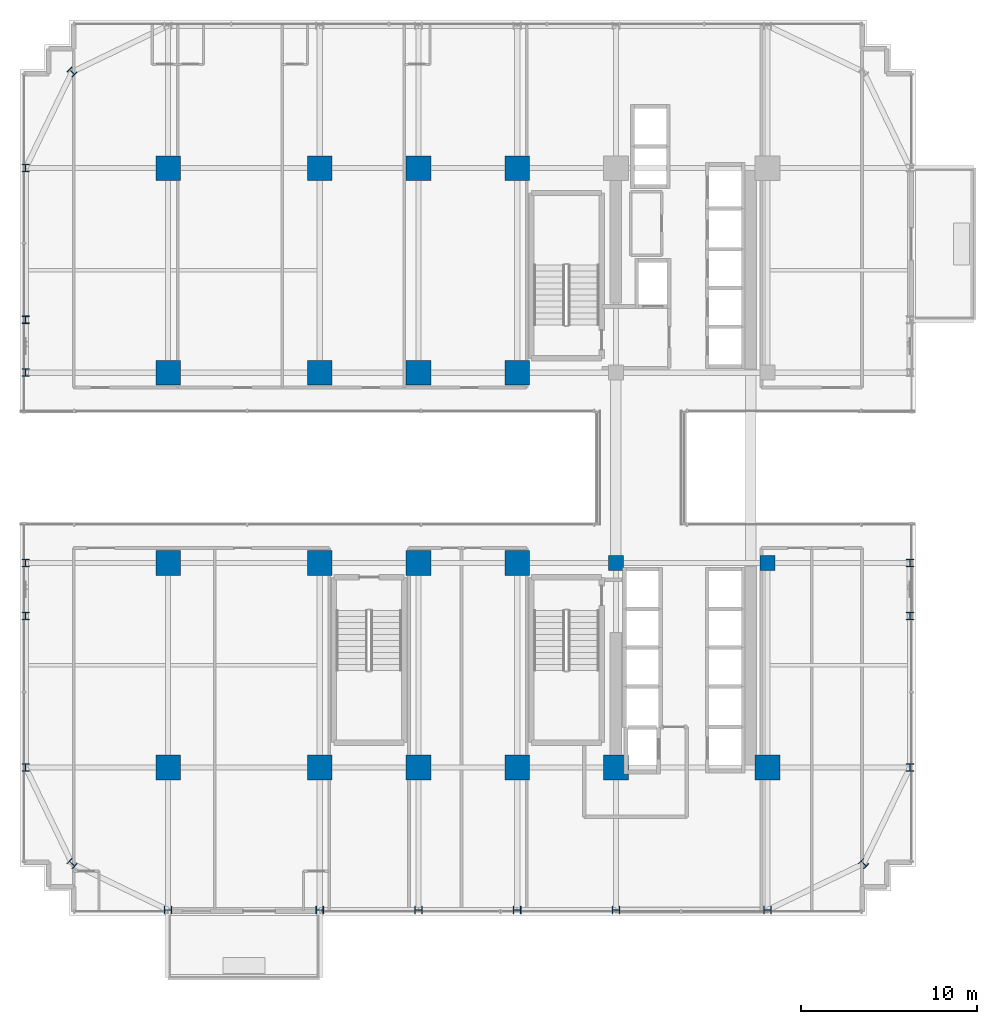
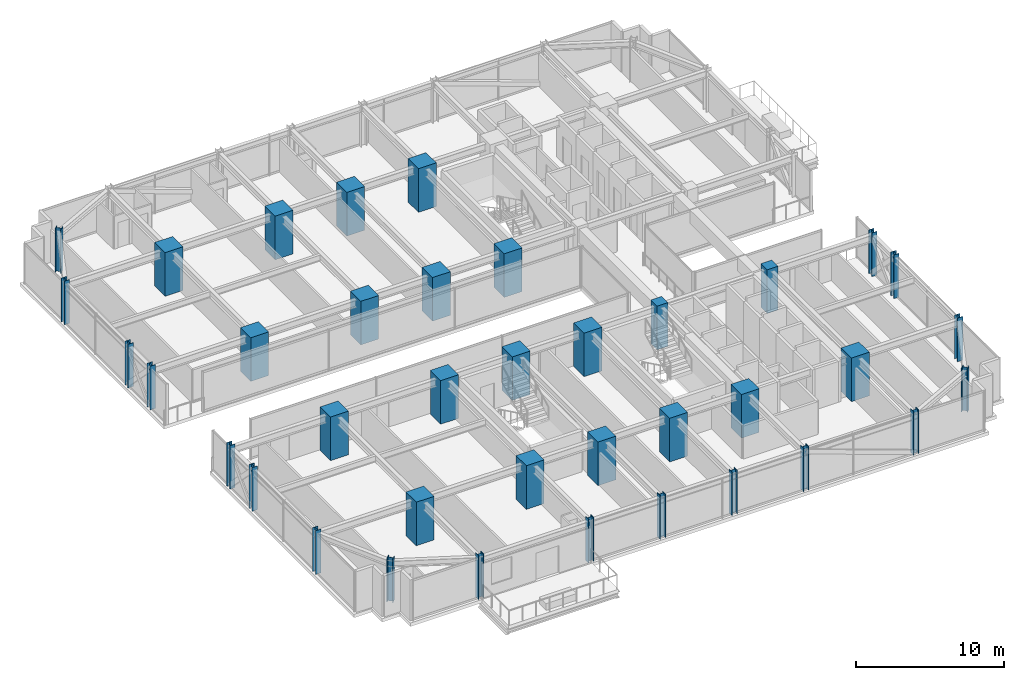
# One storey, part 1 of 43: 38 columns.
"""IFC4 building model written with IfcOpenShell, lengths in metres."""

from ifc_helpers import new_model, si_unit, direction, frame, origin, origin_2d, place, context, subcontext, project, spatial, rectangle, i_section, extrude, source, transform, mapped, material, material_profile, profile_set, type_object, element, save


model = new_model("IFC4")

# Units and contexts
model_context = context("Model", 3, precision=1e-05, world=origin(), true_north=direction((0.0, 1.0)))
body_context = subcontext(model_context, "Body", "Model", "MODEL_VIEW")
ifc_project = project(units=[si_unit("LENGTHUNIT", "METRE"), si_unit("AREAUNIT", "SQUARE_METRE"), si_unit("VOLUMEUNIT", "CUBIC_METRE"), si_unit("PLANEANGLEUNIT", "RADIAN"), si_unit("MASSUNIT", "GRAM", prefix="KILO")], contexts=[model_context])

# Site, building, storey
site_placement = place(None, origin())
site = spatial("IfcSite", under=ifc_project, at=site_placement, CompositionType="ELEMENT")
building_placement = place(site_placement, origin())
building = spatial("IfcBuilding", under=site, at=building_placement, Name="Nahalor Promenade Grand Hotel", CompositionType="ELEMENT")
storey_placement = place(building_placement, frame((0.0, 0.0, 57.949951171875)))
storey = spatial("IfcBuildingStorey", under=building, at=storey_placement, Name="L13", CompositionType="ELEMENT", Elevation=57.949951171875)

# Columns
ifc_material_1 = material(Name="Concrete B-70 (C60/75)", Category="concrete")
ifc_material_profile_1 = material_profile(ifc_material_1, rectangle(XDim=1.4, YDim=1.4, at=origin_2d()), Name="RC 1400x1400")
ifc_profile_set_1 = profile_set([ifc_material_profile_1], Name="Concrete B-70 (C60/75)")
column_type_1 = type_object("IfcColumnType", Name="Col-RC-1400", PredefinedType="COLUMN", material=ifc_profile_set_1)
shared_shape_1 = source(origin(), body_context, "Body", "SweptSolid", [
    extrude(rectangle(XDim=1.4, YDim=1.4, at=origin_2d()), origin(), (0.0, 0.0, 1.0), 3.60498046875),
])
for number, where, z_axis, x_axis, name in (
    (1, (-17.0, -17.0, 0.0), (0.0, 0.0, 1.0), (1.0, 0.0, 0.0), "COL-L13-I00"),
    (2, (-17.0, -5.39990234375, 0.0), (0.0, 0.0, 1.0), (1.0, 0.0, 0.0), "COL-L13-I01"),
    (3, (-17.0, 5.39990234375, 0.0), (0.0, 0.0, 1.0), (1.0, 0.0, 0.0), "COL-L13-I02"),
    (4, (-17.0, 17.0, 0.0), (0.0, 0.0, 1.0), (1.0, 0.0, 0.0), "COL-L13-I03"),
    (5, (-8.39990234375, -17.0, 0.0), (0.0, 0.0, 1.0), (1.0, 0.0, 0.0), "COL-L13-I10"),
    (6, (-8.39990234375, -5.39990234375, 0.0), (0.0, 0.0, 1.0), (1.0, 0.0, 0.0), "COL-L13-I11"),
    (7, (-8.39990234375, 5.39990234375, 0.0), (0.0, 0.0, 1.0), (1.0, 0.0, 0.0), "COL-L13-I12"),
    (8, (-8.39990234375, 17.0, 0.0), (0.0, 0.0, 1.0), (1.0, 0.0, 0.0), "COL-L13-I13"),
    (9, (-2.800048828125, -17.0, 0.0), (0.0, 0.0, 1.0), (1.0, 0.0, 0.0), "COL-L13-I20"),
    (10, (-2.800048828125, -5.39990234375, 0.0), (0.0, 0.0, 1.0), (1.0, 0.0, 0.0), "COL-L13-I21"),
    (11, (-2.800048828125, 5.39990234375, 0.0), (0.0, 0.0, 1.0), (1.0, 0.0, 0.0), "COL-L13-I22"),
    (12, (-2.800048828125, 17.0, 0.0), (0.0, 0.0, 1.0), (1.0, 0.0, 0.0), "COL-L13-I23"),
    (13, (2.800048828125, -17.0, 0.0), (0.0, 0.0, 1.0), (1.0, 0.0, 0.0), "COL-L13-I30"),
    (14, (2.800048828125, -5.39990234375, 0.0), (0.0, 0.0, 1.0), (1.0, 0.0, 0.0), "COL-L13-I31"),
    (15, (2.800048828125, 5.39990234375, 0.0), (0.0, 0.0, 1.0), (1.0, 0.0, 0.0), "COL-L13-I32"),
    (16, (2.800048828125, 17.0, 0.0), (0.0, 0.0, 1.0), (1.0, 0.0, 0.0), "COL-L13-I33"),
    (17, (8.39990234375, -17.0, 0.0), (0.0, 0.0, 1.0), (1.0, 0.0, 0.0), "COL-L13-I40"),
    (18, (17.0, -17.0, 0.0), (0.0, 0.0, 1.0), (1.0, 0.0, 0.0), "COL-L13-I50"),
):
    element("IfcColumn", number, at=place(storey_placement, frame(where, z_axis=z_axis, x_axis=x_axis)), inside=storey, type_object=column_type_1, Name=name, PredefinedType="COLUMN", context=body_context, shape_type="MappedRepresentation", body=[
        mapped(shared_shape_1, transform((0.0, 0.0, 0.0), scale=1.0)),
    ])
ifc_material_profile_2 = material_profile(ifc_material_1, rectangle(XDim=0.85, YDim=0.85, at=origin_2d()), Name="RC 850x850")
ifc_profile_set_2 = profile_set([ifc_material_profile_2], Name="Concrete B-70 (C60/75)")
column_type_2 = type_object("IfcColumnType", Name="Col-Pilaster-850", PredefinedType="PILASTER", material=ifc_profile_set_2)
shared_shape_2 = source(origin(), body_context, "Body", "SweptSolid", [
    extrude(rectangle(XDim=0.85, YDim=0.85, at=origin_2d()), origin(), (0.0, 0.0, 1.0), 3.60498046875),
])
for number, where, z_axis, x_axis, name in (
    (19, (8.39990234375, -5.39990234375, 0.0), (0.0, 0.0, 1.0), (1.0, 0.0, 0.0), "COL-L13-I41"),
    (20, (17.0, -5.39990234375, 0.0), (0.0, 0.0, 1.0), (1.0, 0.0, 0.0), "COL-L13-I51"),
):
    element("IfcColumn", number, at=place(storey_placement, frame(where, z_axis=z_axis, x_axis=x_axis)), inside=storey, type_object=column_type_2, Name=name, PredefinedType="PILASTER", context=body_context, shape_type="MappedRepresentation", body=[
        mapped(shared_shape_2, transform((0.0, 0.0, 0.0), scale=1.0)),
    ])
ifc_material_2 = material(Name="Steel S355J2", Category="steel")
ifc_material_profile_3 = material_profile(ifc_material_2, i_section(OverallWidth=0.412, OverallDepth=0.438, WebThickness=0.0226, FlangeThickness=0.0365, at=origin_2d()), Name="HD 400x463")
ifc_profile_set_3 = profile_set([ifc_material_profile_3], Name="Steel S355J2")
column_type_3 = type_object("IfcColumnType", Name="Col-Steel-HD463", PredefinedType="COLUMN", material=ifc_profile_set_3)
shared_shape_3 = source(origin(), body_context, "Body", "SweptSolid", [
    extrude(i_section(OverallWidth=0.412, OverallDepth=0.438, WebThickness=0.0226, FlangeThickness=0.0365, at=origin_2d()), origin(), (0.0, 0.0, 1.0), 3.60498046875),
])
for number, where, z_axis, x_axis, name in (
    (21, (-25.080078125, -17.0, 0.0), (0.0, 0.0, 1.0), (1.0, 0.0, 0.0), "COL-L13-PW-W0"),
    (22, (25.080078125, -17.0, 0.0), (0.0, 0.0, 1.0), (1.0, 0.0, 0.0), "COL-L13-PW-E0"),
    (23, (-25.080078125, -8.39990234375, 0.0), (0.0, 0.0, 1.0), (1.0, 0.0, 0.0), "COL-L13-PW-W1"),
    (24, (25.080078125, -8.39990234375, 0.0), (0.0, 0.0, 1.0), (1.0, 0.0, 0.0), "COL-L13-PW-E1"),
    (25, (-25.080078125, -5.39990234375, 0.0), (0.0, 0.0, 1.0), (1.0, 0.0, 0.0), "COL-L13-PW-W2"),
    (26, (25.080078125, -5.39990234375, 0.0), (0.0, 0.0, 1.0), (1.0, 0.0, 0.0), "COL-L13-PW-E2"),
    (27, (-25.080078125, 5.39990234375, 0.0), (0.0, 0.0, 1.0), (1.0, 0.0, 0.0), "COL-L13-PW-W3"),
    (28, (-25.080078125, 8.39990234375, 0.0), (0.0, 0.0, 1.0), (1.0, 0.0, 0.0), "COL-L13-PW-W4"),
    (29, (-25.080078125, 17.0, 0.0), (0.0, 0.0, 1.0), (1.0, 0.0, 0.0), "COL-L13-PW-W5"),
    (30, (-17.0, -25.080078125, 0.0), (0.0, 0.0, 1.0), (0.0, 1.0, 0.0), "COL-L13-PN-S0"),
    (31, (-8.39990234375, -25.080078125, 0.0), (0.0, 0.0, 1.0), (0.0, 1.0, 0.0), "COL-L13-PN-S1"),
    (32, (-2.800048828125, -25.080078125, 0.0), (0.0, 0.0, 1.0), (0.0, 1.0, 0.0), "COL-L13-PN-S2"),
    (33, (2.800048828125, -25.080078125, 0.0), (0.0, 0.0, 1.0), (0.0, 1.0, 0.0), "COL-L13-PN-S3"),
    (34, (8.39990234375, -25.080078125, 0.0), (0.0, 0.0, 1.0), (0.0, 1.0, 0.0), "COL-L13-PN-S4"),
    (35, (17.0, -25.080078125, 0.0), (0.0, 0.0, 1.0), (0.0, 1.0, 0.0), "COL-L13-PN-S5"),
    (36, (-22.449951171875, -22.449951171875, 0.0), (0.0, 0.0, 1.0), (0.707106781187, 0.707106781187, 0.0), "COL-L13-CRN-SW"),
    (37, (-22.449951171875, 22.449951171875, 0.0), (0.0, 0.0, 1.0), (0.707106781187, 0.707106781187, 0.0), "COL-L13-CRN-NW"),
    (38, (22.449951171875, -22.449951171875, 0.0), (0.0, 0.0, 1.0), (0.707106781187, 0.707106781187, 0.0), "COL-L13-CRN-SE"),
):
    element("IfcColumn", number, at=place(storey_placement, frame(where, z_axis=z_axis, x_axis=x_axis)), inside=storey, type_object=column_type_3, Name=name, PredefinedType="COLUMN", context=body_context, shape_type="MappedRepresentation", body=[
        mapped(shared_shape_3, transform((0.0, 0.0, 0.0), scale=1.0)),
    ])

save(model, "model.ifc")
